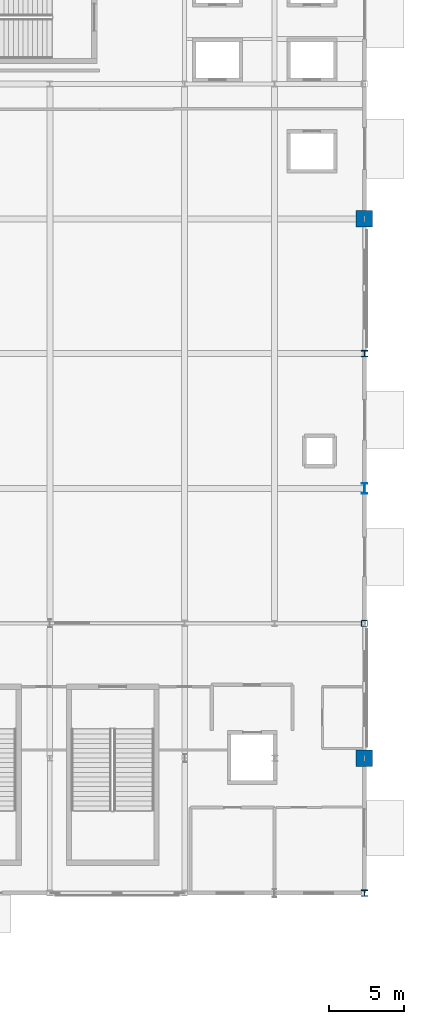
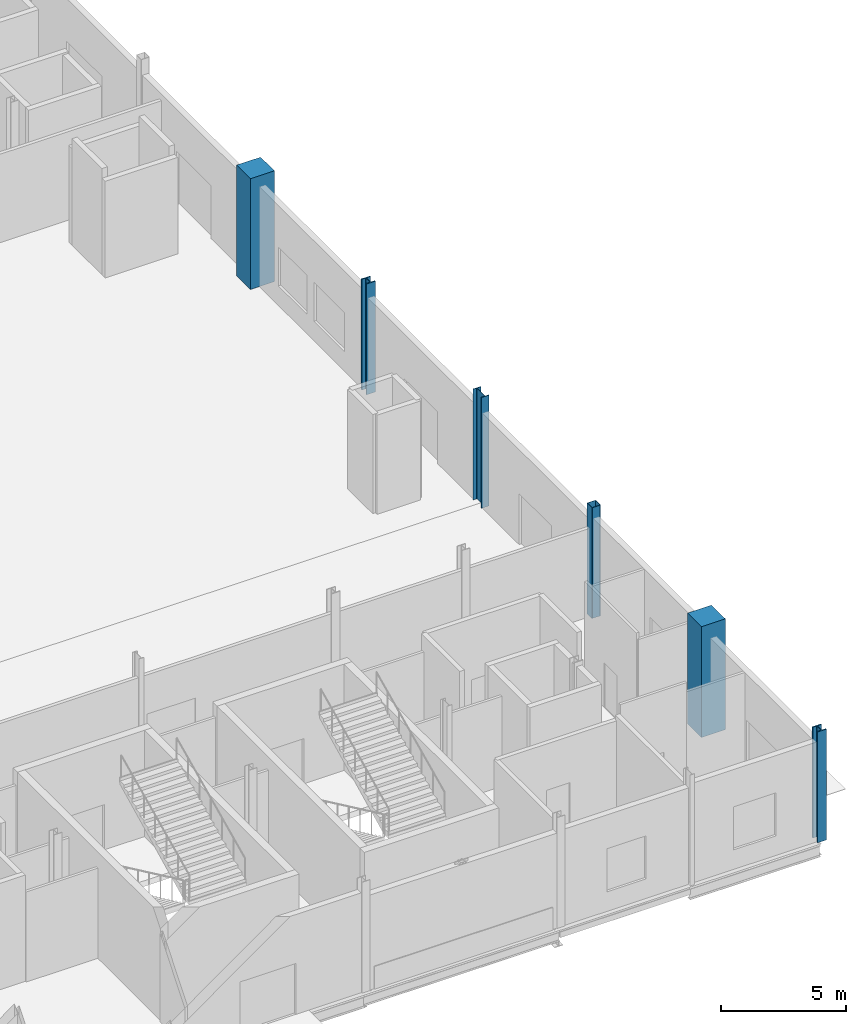
# One storey, part 17 of 94: 6 columns.
"""IFC4 building model written with IfcOpenShell, lengths in metres."""

from ifc_helpers import new_model, si_unit, direction, frame, origin, origin_2d, place, context, subcontext, project, spatial, rectangle, hollow_rectangle, i_section, extrude, material, material_profile, profile_set, type_object, element, save


model = new_model("IFC4")

# Units and contexts
model_context = context("Model", 3, precision=1e-05, world=origin(), true_north=direction((0.0, 1.0)))
body_context = subcontext(model_context, "Body", "Model", "MODEL_VIEW")
ifc_project = project(units=[si_unit("LENGTHUNIT", "METRE"), si_unit("AREAUNIT", "SQUARE_METRE"), si_unit("VOLUMEUNIT", "CUBIC_METRE"), si_unit("PLANEANGLEUNIT", "RADIAN"), si_unit("MASSUNIT", "GRAM", prefix="KILO")], contexts=[model_context])

# Site, building, storey
site_placement = place(None, origin())
site = spatial("IfcSite", under=ifc_project, at=site_placement, CompositionType="ELEMENT")
building_placement = place(site_placement, origin())
building = spatial("IfcBuilding", under=site, at=building_placement, Name="Qamarlyn Nura Convention Centre", CompositionType="ELEMENT")
storey_placement = place(building_placement, origin())
storey = spatial("IfcBuildingStorey", under=building, at=storey_placement, Name="L00", CompositionType="ELEMENT", Elevation=0.0)

# Columns
ifc_material_1 = material(Name="Steel ASTM A500 Grade C", Category="steel")
ifc_material_profile_1 = material_profile(ifc_material_1, hollow_rectangle(XDim=0.39990234375, YDim=0.39990234375, WallThickness=0.01611328125, InnerFilletRadius=0.01611328125, OuterFilletRadius=0.031982421875, at=origin_2d()), Name="HSS400X400X16")
ifc_profile_set_1 = profile_set([ifc_material_profile_1], Name="Steel ASTM A500 Grade C")
column_type_1 = type_object("IfcColumnType", Name="COL-HSS-1", PredefinedType="COLUMN", material=ifc_profile_set_1)
column_1_placement = place(storey_placement, frame((192.0, 18.0, 0.0), z_axis=(0.0, 0.0, 1.0), x_axis=(1.0, 0.0, 0.0)))
element("IfcColumn", 1, at=column_1_placement, inside=storey, type_object=column_type_1, Name="L00 column 18/C", PredefinedType="COLUMN", context=body_context, shape_type="SweptSolid", body=[
    extrude(hollow_rectangle(XDim=0.39990234375, YDim=0.39990234375, WallThickness=0.01611328125, InnerFilletRadius=0.01611328125, OuterFilletRadius=0.031982421875, at=origin_2d()), origin(), (0.0, 0.0, 1.0), 5.39990234375),
])
ifc_material_2 = material(Name="Steel ASTM A992", Category="steel")
ifc_material_profile_2 = material_profile(ifc_material_2, i_section(OverallWidth=0.408935546875, OverallDepth=0.425048828125, WebThickness=0.030517578125, FlangeThickness=0.049072265625, FilletRadius=0.02001953125, at=origin_2d()), Name="W360X421")
ifc_profile_set_2 = profile_set([ifc_material_profile_2], Name="Steel ASTM A992")
column_type_2 = type_object("IfcColumnType", Name="COL-MEGA-1", PredefinedType="COLUMN", material=ifc_profile_set_2)
for number, where, z_axis, x_axis, name in (
    (2, (192.0, 0.0, 0.0), (0.0, 0.0, 1.0), (1.0, 0.0, 0.0), "L00 column 18/A"),
    (3, (192.0, 36.0, 0.0), (0.0, 0.0, 1.0), (1.0, 0.0, 0.0), "L00 column 18/E"),
):
    element("IfcColumn", number, at=place(storey_placement, frame(where, z_axis=z_axis, x_axis=x_axis)), inside=storey, type_object=column_type_2, Name=name, PredefinedType="COLUMN", context=body_context, shape_type="SweptSolid", body=[
        extrude(i_section(OverallWidth=0.408935546875, OverallDepth=0.425048828125, WebThickness=0.030517578125, FlangeThickness=0.049072265625, FilletRadius=0.02001953125, at=origin_2d()), origin(), (0.0, 0.0, 1.0), 5.39990234375),
    ])
ifc_material_3 = material(Name="Concrete C50/60", Category="concrete")
ifc_material_profile_3 = material_profile(ifc_material_3, rectangle(XDim=1.10009765625, YDim=1.10009765625, at=origin_2d()), Name="RC 1100x1100")
ifc_profile_set_3 = profile_set([ifc_material_profile_3], Name="Concrete C50/60")
column_type_3 = type_object("IfcColumnType", Name="COL-MEGA-2", PredefinedType="COLUMN", material=ifc_profile_set_3)
for number, where, z_axis, x_axis, name in (
    (4, (192.0, 9.0, 0.0), (0.0, 0.0, 1.0), (1.0, 0.0, 0.0), "L00 column 18/B"),
    (5, (192.0, 45.0, 0.0), (0.0, 0.0, 1.0), (1.0, 0.0, 0.0), "L00 column 18/F"),
):
    element("IfcColumn", number, at=place(storey_placement, frame(where, z_axis=z_axis, x_axis=x_axis)), inside=storey, type_object=column_type_3, Name=name, PredefinedType="COLUMN", context=body_context, shape_type="SweptSolid", body=[
        extrude(rectangle(XDim=1.10009765625, YDim=1.10009765625, at=origin_2d()), origin(), (0.0, 0.0, 1.0), 5.39990234375),
    ])
ifc_material_profile_4 = material_profile(ifc_material_2, i_section(OverallWidth=0.35498046875, OverallDepth=0.695068359375, WebThickness=0.015380859375, FlangeThickness=0.02490234375, FilletRadius=0.01806640625, at=origin_2d()), Name="W690X217")
ifc_profile_set_4 = profile_set([ifc_material_profile_4], Name="Steel ASTM A992")
column_type_4 = type_object("IfcColumnType", Name="COL-WING-5", PredefinedType="COLUMN", material=ifc_profile_set_4)
column_2_placement = place(storey_placement, frame((192.0, 27.0, 0.0), z_axis=(0.0, 0.0, 1.0), x_axis=(1.0, 0.0, 0.0)))
element("IfcColumn", 6, at=column_2_placement, inside=storey, type_object=column_type_4, Name="L00 column 18/D", PredefinedType="COLUMN", context=body_context, shape_type="SweptSolid", body=[
    extrude(i_section(OverallWidth=0.35498046875, OverallDepth=0.695068359375, WebThickness=0.015380859375, FlangeThickness=0.02490234375, FilletRadius=0.01806640625, at=origin_2d()), origin(), (0.0, 0.0, 1.0), 5.39990234375),
])

save(model, "model.ifc")
